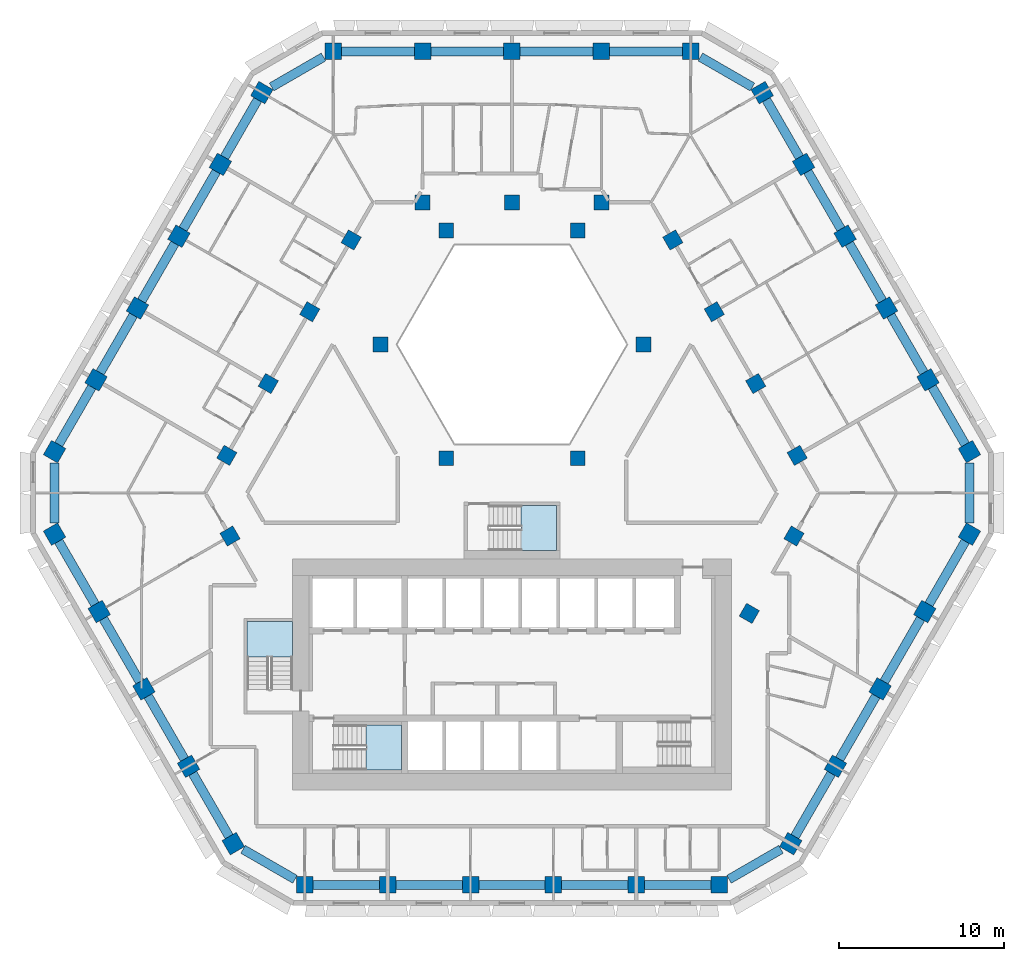
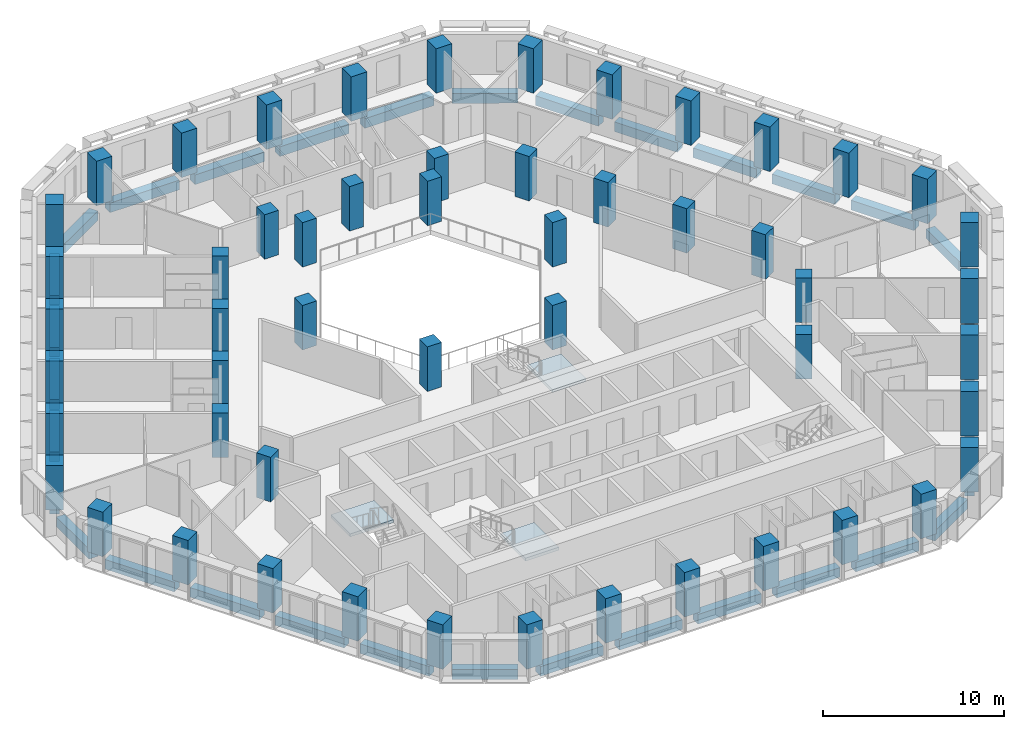
# One storey, part 1 of 15: 53 columns, 33 beams, 3 slabs, 3 elements without a shape of their own.
"""IFC4 building model written with IfcOpenShell, lengths in metres."""

from ifc_helpers import new_model, si_unit, direction, frame, origin, origin_2d, place, context, subcontext, project, spatial, polyline, rectangle, outline, extrude, material, layer, layer_set, material_profile, profile_set, type_object, element, aggregate, save


model = new_model("IFC4")

# Units and contexts
model_context = context("Model", 3, precision=1e-05, world=origin(), true_north=direction((0.0, 1.0)))
body_context = subcontext(model_context, "Body", "Model", "MODEL_VIEW")
ifc_project = project(units=[si_unit("LENGTHUNIT", "METRE"), si_unit("AREAUNIT", "SQUARE_METRE"), si_unit("VOLUMEUNIT", "CUBIC_METRE"), si_unit("PLANEANGLEUNIT", "RADIAN"), si_unit("MASSUNIT", "GRAM", prefix="KILO")], contexts=[model_context])

# Site, building, storey
site_placement = place(None, origin())
site = spatial("IfcSite", under=ifc_project, at=site_placement, CompositionType="ELEMENT")
building_placement = place(site_placement, origin())
building = spatial("IfcBuilding", under=site, at=building_placement, Name="Beryl Residences", CompositionType="ELEMENT")
storey_placement = place(building_placement, frame((0.0, 0.0, 72.0)))
storey = spatial("IfcBuildingStorey", under=building, at=storey_placement, Name="L21", CompositionType="ELEMENT", Elevation=72.0)

# Columns
ifc_material_1 = material(Name="Concrete C70/85", Category="concrete")
ifc_material_profile_1 = material_profile(ifc_material_1, rectangle(XDim=1.0, YDim=1.0, at=origin_2d()))
ifc_profile_set_1 = profile_set([ifc_material_profile_1], Name="Concrete C70/85")
column_type_1 = type_object("IfcColumnType", Name="C2 tube column 1000 x 1000 C70/85", PredefinedType="COLUMN", material=ifc_profile_set_1)
for number, where, z_axis, x_axis, name in (
    (1, (10.824951171875, 25.75, 0.0), (0.0, 0.0, 1.0), (-1.0, 0.0, 0.0), "C2-N1 L21"),
    (2, (5.412109375, 25.75, 0.0), (0.0, 0.0, 1.0), (-1.0, 0.0, 0.0), "C2-N2 L21"),
    (3, (-0.0009765625, 25.75, 0.0), (0.0, 0.0, 1.0), (-1.0, 0.0, 0.0), "C2-N3 L21"),
    (4, (-5.4140625, 25.75, 0.0), (0.0, 0.0, 1.0), (-1.0, 0.0, 0.0), "C2-N4 L21"),
    (5, (-10.826904296875, 25.75, 0.0), (0.0, 0.0, 1.0), (-1.0, 0.0, 0.0), "C2-N5 L21"),
    (6, (-15.155029296875, 23.2509765625, 0.0), (0.0, 0.0, 1.0), (-0.5, -0.866025403784, 0.0), "C2-NW1 L21"),
    (7, (-17.6669921875, 18.89990234375, 0.0), (0.0, 0.0, 1.0), (-0.5, -0.866025403784, 0.0), "C2-NW2 L21"),
    (8, (-20.177978515625, 14.550048828125, 0.0), (0.0, 0.0, 1.0), (-0.5, -0.866025403784, 0.0), "C2-NW3 L21"),
    (9, (-22.68994140625, 10.199951171875, 0.0), (0.0, 0.0, 1.0), (-0.5, -0.866025403784, 0.0), "C2-NW4 L21"),
    (10, (-25.201904296875, 5.85009765625, 0.0), (0.0, 0.0, 1.0), (-0.5, -0.866025403784, 0.0), "C2-NW5 L21"),
    (11, (-27.712890625, 1.5, 0.0), (0.0, 0.0, 1.0), (-0.5, -0.866025403784, 0.0), "C2-NW6 L21"),
    (12, (-27.714111328125, -3.4990234375, 0.0), (0.0, 0.0, 1.0), (0.5, -0.866025403784, 0.0), "C2-SW1 L21"),
    (13, (-25.007080078125, -8.18701171875, 0.0), (0.0, 0.0, 1.0), (0.5, -0.866025403784, 0.0), "C2-SW2 L21"),
    (14, (-22.300048828125, -12.875, 0.0), (0.0, 0.0, 1.0), (0.5, -0.866025403784, 0.0), "C2-SW3 L21"),
    (15, (-19.593994140625, -17.56298828125, 0.0), (0.0, 0.0, 1.0), (0.5, -0.866025403784, 0.0), "C2-SW4 L21"),
    (16, (-16.886962890625, -22.2509765625, 0.0), (0.0, 0.0, 1.0), (0.5, -0.866025403784, 0.0), "C2-SW5 L21"),
    (17, (-12.556884765625, -24.75, 0.0), (0.0, 0.0, 1.0), (1.0, 0.0, 0.0), "C2-S1 L21"),
    (18, (-7.533935546875, -24.75, 0.0), (0.0, 0.0, 1.0), (1.0, 0.0, 0.0), "C2-S2 L21"),
    (19, (-2.510986328125, -24.75, 0.0), (0.0, 0.0, 1.0), (1.0, 0.0, 0.0), "C2-S3 L21"),
    (20, (2.511962890625, -24.75, 0.0), (0.0, 0.0, 1.0), (1.0, 0.0, 0.0), "C2-S4 L21"),
    (21, (7.534912109375, -24.75, 0.0), (0.0, 0.0, 1.0), (1.0, 0.0, 0.0), "C2-S5 L21"),
    (22, (12.55810546875, -24.75, 0.0), (0.0, 0.0, 1.0), (1.0, 0.0, 0.0), "C2-S6 L21"),
    (23, (16.886962890625, -22.2509765625, 0.0), (0.0, 0.0, 1.0), (0.5, 0.866025403784, 0.0), "C2-SE1 L21"),
    (24, (19.593994140625, -17.56298828125, 0.0), (0.0, 0.0, 1.0), (0.5, 0.866025403784, 0.0), "C2-SE2 L21"),
    (25, (22.300048828125, -12.875, 0.0), (0.0, 0.0, 1.0), (0.5, 0.866025403784, 0.0), "C2-SE3 L21"),
    (26, (25.007080078125, -8.18701171875, 0.0), (0.0, 0.0, 1.0), (0.5, 0.866025403784, 0.0), "C2-SE4 L21"),
    (27, (27.714111328125, -3.4990234375, 0.0), (0.0, 0.0, 1.0), (0.5, 0.866025403784, 0.0), "C2-SE5 L21"),
    (28, (27.714111328125, 1.4990234375, 0.0), (0.0, 0.0, 1.0), (-0.5, 0.866025403784, 0.0), "C2-NE1 L21"),
    (29, (25.201904296875, 5.85009765625, 0.0), (0.0, 0.0, 1.0), (-0.5, 0.866025403784, 0.0), "C2-NE2 L21"),
    (30, (22.68994140625, 10.199951171875, 0.0), (0.0, 0.0, 1.0), (-0.5, 0.866025403784, 0.0), "C2-NE3 L21"),
    (31, (20.178955078125, 14.550048828125, 0.0), (0.0, 0.0, 1.0), (-0.5, 0.866025403784, 0.0), "C2-NE4 L21"),
    (32, (17.6669921875, 18.89990234375, 0.0), (0.0, 0.0, 1.0), (-0.5, 0.866025403784, 0.0), "C2-NE5 L21"),
    (33, (15.156005859375, 23.25, 0.0), (0.0, 0.0, 1.0), (-0.5, 0.866025403784, 0.0), "C2-NE6 L21"),
):
    element("IfcColumn", number, at=place(storey_placement, frame(where, z_axis=z_axis, x_axis=x_axis)), inside=storey, type_object=column_type_1, Name=name, PredefinedType="COLUMN", context=body_context, shape_type="SweptSolid", body=[
        extrude(rectangle(XDim=1.0, YDim=1.0, at=origin_2d()), origin(), (0.0, 0.0, 1.0), 3.0),
    ])
ifc_material_2 = material(Name="Concrete C70/85", Category="concrete")
ifc_material_profile_2 = material_profile(ifc_material_2, rectangle(XDim=0.89990234375, YDim=0.89990234375, at=origin_2d()))
ifc_profile_set_2 = profile_set([ifc_material_profile_2], Name="Concrete C70/85")
column_type_2 = type_object("IfcColumnType", Name="IC2 interior column 900 x 900 C70/85", PredefinedType="COLUMN", material=ifc_profile_set_2)
for number, where, z_axis, x_axis, name in (
    (34, (-17.0830078125, -3.612060546875, 0.0), (0.0, 0.0, 1.0), (0.5, -0.866025403784, 0.0), "IC2-M01 L21"),
    (35, (14.3759765625, -8.300048828125, 0.0), (0.0, 0.0, 1.0), (0.5, 0.866025403784, 0.0), "IC2-M02 L21"),
    (36, (17.0830078125, -3.612060546875, 0.0), (0.0, 0.0, 1.0), (0.5, 0.866025403784, 0.0), "IC2-M03 L21"),
    (37, (17.278076171875, 1.27392578125, 0.0), (0.0, 0.0, 1.0), (-0.5, 0.866025403784, 0.0), "IC2-M04 L21"),
    (38, (3.98388671875, 1.10009765625, 0.0), (0.0, 0.0, 1.0), (1.0, 0.0, 0.0), "IC2-A05 L21"),
    (39, (14.76611328125, 5.625, 0.0), (0.0, 0.0, 1.0), (-0.5, 0.866025403784, 0.0), "IC2-M06 L21"),
    (40, (12.2548828125, 9.97509765625, 0.0), (0.0, 0.0, 1.0), (-0.5, 0.866025403784, 0.0), "IC2-M07 L21"),
    (41, (7.967041015625, 8.0, 0.0), (0.0, 0.0, 1.0), (1.0, 0.0, 0.0), "IC2-A08 L21"),
    (42, (9.742919921875, 14.324951171875, 0.0), (0.0, 0.0, 1.0), (-0.5, 0.866025403784, 0.0), "IC2-M09 L21"),
    (43, (5.412109375, 16.60009765625, 0.0), (0.0, 0.0, 1.0), (-1.0, 0.0, 0.0), "IC2-M10 L21"),
    (44, (3.98388671875, 14.89990234375, 0.0), (0.0, 0.0, 1.0), (1.0, 0.0, 0.0), "IC2-A11 L21"),
    (45, (-0.0009765625, 16.60009765625, 0.0), (0.0, 0.0, 1.0), (-1.0, 0.0, 0.0), "IC2-M12 L21"),
    (46, (-3.98388671875, 14.89990234375, 0.0), (0.0, 0.0, 1.0), (1.0, 0.0, 0.0), "IC2-A13 L21"),
    (47, (-5.4140625, 16.60009765625, 0.0), (0.0, 0.0, 1.0), (-1.0, 0.0, 0.0), "IC2-M14 L21"),
    (48, (-9.742919921875, 14.324951171875, 0.0), (0.0, 0.0, 1.0), (-0.5, -0.866025403784, 0.0), "IC2-M15 L21"),
    (49, (-7.967041015625, 8.0, 0.0), (0.0, 0.0, 1.0), (1.0, 0.0, 0.0), "IC2-A16 L21"),
    (50, (-12.25390625, 9.97509765625, 0.0), (0.0, 0.0, 1.0), (-0.5, -0.866025403784, 0.0), "IC2-M17 L21"),
    (51, (-14.76611328125, 5.625, 0.0), (0.0, 0.0, 1.0), (-0.5, -0.866025403784, 0.0), "IC2-M18 L21"),
    (52, (-3.98388671875, 1.10009765625, 0.0), (0.0, 0.0, 1.0), (1.0, 0.0, 0.0), "IC2-A19 L21"),
    (53, (-17.277099609375, 1.27490234375, 0.0), (0.0, 0.0, 1.0), (-0.5, -0.866025403784, 0.0), "IC2-M20 L21"),
):
    element("IfcColumn", number, at=place(storey_placement, frame(where, z_axis=z_axis, x_axis=x_axis)), inside=storey, type_object=column_type_2, Name=name, PredefinedType="COLUMN", context=body_context, shape_type="SweptSolid", body=[
        extrude(rectangle(XDim=0.89990234375, YDim=0.89990234375, at=origin_2d()), origin(), (0.0, 0.0, 1.0), 3.0),
    ])

# Beams
ifc_material_3 = material(Name="Concrete C70/85", Category="concrete")
ifc_material_profile_3 = material_profile(ifc_material_3, rectangle(XDim=0.550048828125, YDim=0.64990234375, at=origin_2d()))
ifc_profile_set_3 = profile_set([ifc_material_profile_3], Name="Concrete C70/85")
beam_type = type_object("IfcBeamType", Name="SB2 spandrel beam 550 x 650 C70/85", PredefinedType="SPANDREL", material=ifc_profile_set_3)
beam_1_placement = place(storey_placement, frame((10.324951171875, 25.75, -0.625), z_axis=(-1.0, 0.0, 0.0), x_axis=(0.0, -1.0, 0.0)))
element("IfcBeam", 54, at=beam_1_placement, inside=storey, type_object=beam_type, Name="SB2 L21 N-0", PredefinedType="SPANDREL", context=body_context, shape_type="SweptSolid", body=[
    extrude(rectangle(XDim=0.550048828125, YDim=0.64990234375, at=origin_2d()), origin(), (0.0, 0.0, 1.0), 4.412841796875),
])
for number, where, z_axis, x_axis, name in (
    (55, (4.912109375, 25.75, -0.625), (-1.0, 0.0, 0.0), (0.0, -1.0, 0.0), "SB2 L21 N-1"),
    (56, (-0.5009765625, 25.75, -0.625), (-1.0, 0.0, 0.0), (0.0, -1.0, 0.0), "SB2 L21 N-2"),
):
    element("IfcBeam", number, at=place(storey_placement, frame(where, z_axis=z_axis, x_axis=x_axis)), inside=storey, type_object=beam_type, Name=name, PredefinedType="SPANDREL", context=body_context, shape_type="SweptSolid", body=[
        extrude(rectangle(XDim=0.550048828125, YDim=0.64990234375, at=origin_2d()), origin(), (0.0, 0.0, 1.0), 4.4130859375),
    ])
beam_2_placement = place(storey_placement, frame((-5.9140625, 25.75, -0.625), z_axis=(-1.0, 0.0, 0.0), x_axis=(0.0, -1.0, 0.0)))
element("IfcBeam", 57, at=beam_2_placement, inside=storey, type_object=beam_type, Name="SB2 L21 N-3", PredefinedType="SPANDREL", context=body_context, shape_type="SweptSolid", body=[
    extrude(rectangle(XDim=0.550048828125, YDim=0.64990234375, at=origin_2d()), origin(), (0.0, 0.0, 1.0), 4.412841796875),
])
beam_3_placement = place(storey_placement, frame((-11.41796875, 25.408935546875, -0.625), z_axis=(-0.865959503272, -0.500114125668, 0.0), x_axis=(0.500114125668, -0.865959503272, 0.0)))
element("IfcBeam", 58, at=beam_3_placement, inside=storey, type_object=beam_type, Name="SB2 L21 N-4", PredefinedType="SPANDREL", context=body_context, shape_type="SweptSolid", body=[
    extrude(rectangle(XDim=0.550048828125, YDim=0.64990234375, at=origin_2d()), origin(), (0.0, 0.0, 1.0), 3.633056640625),
])
beam_4_placement = place(storey_placement, frame((-15.405029296875, 22.818115234375, -0.625), z_axis=(-0.49996928203, -0.866043138087, 0.0), x_axis=(0.866043138087, -0.49996928203, 0.0)))
element("IfcBeam", 59, at=beam_4_placement, inside=storey, type_object=beam_type, Name="SB2 L21 NW-0", PredefinedType="SPANDREL", context=body_context, shape_type="SweptSolid", body=[
    extrude(rectangle(XDim=0.550048828125, YDim=0.64990234375, at=origin_2d()), origin(), (0.0, 0.0, 1.0), 4.024169921875),
])
beam_5_placement = place(storey_placement, frame((-17.9169921875, 18.467041015625, -0.625), z_axis=(-0.499892318183, -0.866087564985, 0.0), x_axis=(0.866087564985, -0.499892318183, 0.0)))
element("IfcBeam", 60, at=beam_5_placement, inside=storey, type_object=beam_type, Name="SB2 L21 NW-1", PredefinedType="SPANDREL", context=body_context, shape_type="SweptSolid", body=[
    extrude(rectangle(XDim=0.550048828125, YDim=0.64990234375, at=origin_2d()), origin(), (0.0, 0.0, 1.0), 4.02294921875),
])
beam_6_placement = place(storey_placement, frame((-20.427978515625, 14.116943359375, -0.625), z_axis=(-0.500100656611, -0.865967281863, 0.0), x_axis=(0.865967281863, -0.500100656611, 0.0)))
element("IfcBeam", 61, at=beam_6_placement, inside=storey, type_object=beam_type, Name="SB2 L21 NW-2", PredefinedType="SPANDREL", context=body_context, shape_type="SweptSolid", body=[
    extrude(rectangle(XDim=0.550048828125, YDim=0.64990234375, at=origin_2d()), origin(), (0.0, 0.0, 1.0), 4.023193359375),
])
beam_7_placement = place(storey_placement, frame((-22.93994140625, 9.76708984375, -0.625), z_axis=(-0.500074377092, -0.865982457891, 0.0), x_axis=(0.865982457891, -0.500074377092, 0.0)))
element("IfcBeam", 62, at=beam_7_placement, inside=storey, type_object=beam_type, Name="SB2 L21 NW-3", PredefinedType="SPANDREL", context=body_context, shape_type="SweptSolid", body=[
    extrude(rectangle(XDim=0.550048828125, YDim=0.64990234375, at=origin_2d()), origin(), (0.0, 0.0, 1.0), 4.0234375),
])
beam_8_placement = place(storey_placement, frame((-25.451904296875, 5.4169921875, -0.625), z_axis=(-0.499918594511, -0.866072398164, 0.0), x_axis=(0.866072398164, -0.499918594511, 0.0)))
element("IfcBeam", 63, at=beam_8_placement, inside=storey, type_object=beam_type, Name="SB2 L21 NW-4", PredefinedType="SPANDREL", context=body_context, shape_type="SweptSolid", body=[
    extrude(rectangle(XDim=0.550048828125, YDim=0.64990234375, at=origin_2d()), origin(), (0.0, 0.0, 1.0), 4.022705078125),
])
beam_9_placement = place(storey_placement, frame((-27.712890625, 0.81689453125, -0.625), z_axis=(-0.000336021486, -0.999999943545, 0.0), x_axis=(0.999999943545, -0.000336021486, 0.0)))
element("IfcBeam", 64, at=beam_9_placement, inside=storey, type_object=beam_type, Name="SB2 L21 NW-5", PredefinedType="SPANDREL", context=body_context, shape_type="SweptSolid", body=[
    extrude(rectangle(XDim=0.550048828125, YDim=0.64990234375, at=origin_2d()), origin(), (0.0, 0.0, 1.0), 3.6328125),
])
beam_10_placement = place(storey_placement, frame((-27.464111328125, -3.931884765625, -0.625), z_axis=(0.50006561292, -0.865987518834, 0.0), x_axis=(0.865987518834, 0.50006561292, 0.0)))
element("IfcBeam", 65, at=beam_10_placement, inside=storey, type_object=beam_type, Name="SB2 L21 SW-0", PredefinedType="SPANDREL", context=body_context, shape_type="SweptSolid", body=[
    extrude(rectangle(XDim=0.550048828125, YDim=0.64990234375, at=origin_2d()), origin(), (0.0, 0.0, 1.0), 4.41357421875),
])
beam_11_placement = place(storey_placement, frame((-24.757080078125, -8.6201171875, -0.625), z_axis=(0.500089568931, -0.865973684962, 0.0), x_axis=(0.865973684962, 0.500089568931, 0.0)))
element("IfcBeam", 66, at=beam_11_placement, inside=storey, type_object=beam_type, Name="SB2 L21 SW-1", PredefinedType="SPANDREL", context=body_context, shape_type="SweptSolid", body=[
    extrude(rectangle(XDim=0.550048828125, YDim=0.64990234375, at=origin_2d()), origin(), (0.0, 0.0, 1.0), 4.413330078125),
])
beam_12_placement = place(storey_placement, frame((-22.050048828125, -13.30810546875, -0.625), z_axis=(0.49992360228, -0.866069507536, 0.0), x_axis=(0.866069507536, 0.49992360228, 0.0)))
element("IfcBeam", 67, at=beam_12_placement, inside=storey, type_object=beam_type, Name="SB2 L21 SW-2", PredefinedType="SPANDREL", context=body_context, shape_type="SweptSolid", body=[
    extrude(rectangle(XDim=0.550048828125, YDim=0.64990234375, at=origin_2d()), origin(), (0.0, 0.0, 1.0), 4.412841796875),
])
beam_13_placement = place(storey_placement, frame((-19.343994140625, -17.99609375, -0.625), z_axis=(0.50006561292, -0.865987518834, 0.0), x_axis=(0.865987518834, 0.50006561292, 0.0)))
element("IfcBeam", 68, at=beam_13_placement, inside=storey, type_object=beam_type, Name="SB2 L21 SW-3", PredefinedType="SPANDREL", context=body_context, shape_type="SweptSolid", body=[
    extrude(rectangle(XDim=0.550048828125, YDim=0.64990234375, at=origin_2d()), origin(), (0.0, 0.0, 1.0), 4.41357421875),
])
beam_14_placement = place(storey_placement, frame((-16.2958984375, -22.592041015625, -0.625), z_axis=(0.866093873939, -0.499881387456, 0.0), x_axis=(0.499881387456, 0.866093873939, 0.0)))
element("IfcBeam", 69, at=beam_14_placement, inside=storey, type_object=beam_type, Name="SB2 L21 SW-4", PredefinedType="SPANDREL", context=body_context, shape_type="SweptSolid", body=[
    extrude(rectangle(XDim=0.550048828125, YDim=0.64990234375, at=origin_2d()), origin(), (0.0, 0.0, 1.0), 3.634765625),
])
for number, where, z_axis, x_axis, name in (
    (70, (-12.056884765625, -24.75, -0.625), (1.0, 0.0, 0.0), (0.0, 1.0, 0.0), "SB2 L21 S-0"),
    (71, (-7.033935546875, -24.75, -0.625), (1.0, 0.0, 0.0), (0.0, 1.0, 0.0), "SB2 L21 S-1"),
    (72, (-2.010986328125, -24.75, -0.625), (1.0, 0.0, 0.0), (0.0, 1.0, 0.0), "SB2 L21 S-2"),
    (73, (3.011962890625, -24.75, -0.625), (1.0, 0.0, 0.0), (0.0, 1.0, 0.0), "SB2 L21 S-3"),
):
    element("IfcBeam", number, at=place(storey_placement, frame(where, z_axis=z_axis, x_axis=x_axis)), inside=storey, type_object=beam_type, Name=name, PredefinedType="SPANDREL", context=body_context, shape_type="SweptSolid", body=[
        extrude(rectangle(XDim=0.550048828125, YDim=0.64990234375, at=origin_2d()), origin(), (0.0, 0.0, 1.0), 4.02294921875),
    ])
beam_15_placement = place(storey_placement, frame((8.034912109375, -24.75, -0.625), z_axis=(1.0, 0.0, 0.0), x_axis=(0.0, 1.0, 0.0)))
element("IfcBeam", 74, at=beam_15_placement, inside=storey, type_object=beam_type, Name="SB2 L21 S-4", PredefinedType="SPANDREL", context=body_context, shape_type="SweptSolid", body=[
    extrude(rectangle(XDim=0.550048828125, YDim=0.64990234375, at=origin_2d()), origin(), (0.0, 0.0, 1.0), 4.023193359375),
])
beam_16_placement = place(storey_placement, frame((13.14892578125, -24.408935546875, -0.625), z_axis=(0.866026712061, 0.499997733992, 0.0), x_axis=(-0.499997733992, 0.866026712061, 0.0)))
element("IfcBeam", 75, at=beam_16_placement, inside=storey, type_object=beam_type, Name="SB2 L21 S-5", PredefinedType="SPANDREL", context=body_context, shape_type="SweptSolid", body=[
    extrude(rectangle(XDim=0.550048828125, YDim=0.64990234375, at=origin_2d()), origin(), (0.0, 0.0, 1.0), 3.6337890625),
])
beam_17_placement = place(storey_placement, frame((17.136962890625, -21.818115234375, -0.625), z_axis=(0.50006561292, 0.865987518834, 0.0), x_axis=(-0.865987518834, 0.50006561292, 0.0)))
element("IfcBeam", 76, at=beam_17_placement, inside=storey, type_object=beam_type, Name="SB2 L21 SE-0", PredefinedType="SPANDREL", context=body_context, shape_type="SweptSolid", body=[
    extrude(rectangle(XDim=0.550048828125, YDim=0.64990234375, at=origin_2d()), origin(), (0.0, 0.0, 1.0), 4.41357421875),
])
beam_18_placement = place(storey_placement, frame((19.843994140625, -17.1298828125, -0.625), z_axis=(0.49992360228, 0.866069507536, 0.0), x_axis=(-0.866069507536, 0.49992360228, 0.0)))
element("IfcBeam", 77, at=beam_18_placement, inside=storey, type_object=beam_type, Name="SB2 L21 SE-1", PredefinedType="SPANDREL", context=body_context, shape_type="SweptSolid", body=[
    extrude(rectangle(XDim=0.550048828125, YDim=0.64990234375, at=origin_2d()), origin(), (0.0, 0.0, 1.0), 4.412841796875),
])
beam_19_placement = place(storey_placement, frame((22.550048828125, -12.44189453125, -0.625), z_axis=(0.500089568931, 0.865973684962, 0.0), x_axis=(-0.865973684962, 0.500089568931, 0.0)))
element("IfcBeam", 78, at=beam_19_placement, inside=storey, type_object=beam_type, Name="SB2 L21 SE-2", PredefinedType="SPANDREL", context=body_context, shape_type="SweptSolid", body=[
    extrude(rectangle(XDim=0.550048828125, YDim=0.64990234375, at=origin_2d()), origin(), (0.0, 0.0, 1.0), 4.413330078125),
])
beam_20_placement = place(storey_placement, frame((25.257080078125, -7.75390625, -0.625), z_axis=(0.50006561292, 0.865987518834, 0.0), x_axis=(-0.865987518834, 0.50006561292, 0.0)))
element("IfcBeam", 79, at=beam_20_placement, inside=storey, type_object=beam_type, Name="SB2 L21 SE-3", PredefinedType="SPANDREL", context=body_context, shape_type="SweptSolid", body=[
    extrude(rectangle(XDim=0.550048828125, YDim=0.64990234375, at=origin_2d()), origin(), (0.0, 0.0, 1.0), 4.41357421875),
])
beam_21_placement = place(storey_placement, frame((27.714111328125, -2.81591796875, -0.625), z_axis=(0.0, 1.0, 0.0), x_axis=(-1.0, 0.0, 0.0)))
element("IfcBeam", 80, at=beam_21_placement, inside=storey, type_object=beam_type, Name="SB2 L21 SE-4", PredefinedType="SPANDREL", context=body_context, shape_type="SweptSolid", body=[
    extrude(rectangle(XDim=0.550048828125, YDim=0.64990234375, at=origin_2d()), origin(), (0.0, 0.0, 1.0), 3.6318359375),
])
beam_22_placement = place(storey_placement, frame((27.464111328125, 1.931884765625, -0.625), z_axis=(-0.500014783214, 0.866016868524, 0.0), x_axis=(-0.866016868524, -0.500014783214, 0.0)))
element("IfcBeam", 81, at=beam_22_placement, inside=storey, type_object=beam_type, Name="SB2 L21 NE-0", PredefinedType="SPANDREL", context=body_context, shape_type="SweptSolid", body=[
    extrude(rectangle(XDim=0.550048828125, YDim=0.64990234375, at=origin_2d()), origin(), (0.0, 0.0, 1.0), 4.0244140625),
])
beam_23_placement = place(storey_placement, frame((24.951904296875, 6.282958984375, -0.625), z_axis=(-0.500074377092, 0.865982457891, 0.0), x_axis=(-0.865982457891, -0.500074377092, 0.0)))
element("IfcBeam", 82, at=beam_23_placement, inside=storey, type_object=beam_type, Name="SB2 L21 NE-1", PredefinedType="SPANDREL", context=body_context, shape_type="SweptSolid", body=[
    extrude(rectangle(XDim=0.550048828125, YDim=0.64990234375, at=origin_2d()), origin(), (0.0, 0.0, 1.0), 4.0234375),
])
beam_24_placement = place(storey_placement, frame((22.43994140625, 10.633056640625, -0.625), z_axis=(-0.499918594511, 0.866072398164, 0.0), x_axis=(-0.866072398164, -0.499918594511, 0.0)))
element("IfcBeam", 83, at=beam_24_placement, inside=storey, type_object=beam_type, Name="SB2 L21 NE-2", PredefinedType="SPANDREL", context=body_context, shape_type="SweptSolid", body=[
    extrude(rectangle(XDim=0.550048828125, YDim=0.64990234375, at=origin_2d()), origin(), (0.0, 0.0, 1.0), 4.022705078125),
])
beam_25_placement = place(storey_placement, frame((19.928955078125, 14.98291015625, -0.625), z_axis=(-0.500074377092, 0.865982457891, 0.0), x_axis=(-0.865982457891, -0.500074377092, 0.0)))
element("IfcBeam", 84, at=beam_25_placement, inside=storey, type_object=beam_type, Name="SB2 L21 NE-3", PredefinedType="SPANDREL", context=body_context, shape_type="SweptSolid", body=[
    extrude(rectangle(XDim=0.550048828125, YDim=0.64990234375, at=origin_2d()), origin(), (0.0, 0.0, 1.0), 4.0234375),
])
beam_26_placement = place(storey_placement, frame((17.4169921875, 19.3330078125, -0.625), z_axis=(-0.499918594511, 0.866072398164, 0.0), x_axis=(-0.866072398164, -0.499918594511, 0.0)))
element("IfcBeam", 85, at=beam_26_placement, inside=storey, type_object=beam_type, Name="SB2 L21 NE-4", PredefinedType="SPANDREL", context=body_context, shape_type="SweptSolid", body=[
    extrude(rectangle(XDim=0.550048828125, YDim=0.64990234375, at=origin_2d()), origin(), (0.0, 0.0, 1.0), 4.022705078125),
])
beam_27_placement = place(storey_placement, frame((14.56494140625, 23.591064453125, -0.625), z_axis=(-0.866044702259, 0.499966572571, 0.0), x_axis=(-0.499966572571, -0.866044702259, 0.0)))
element("IfcBeam", 86, at=beam_27_placement, inside=storey, type_object=beam_type, Name="SB2 L21 NE-5", PredefinedType="SPANDREL", context=body_context, shape_type="SweptSolid", body=[
    extrude(rectangle(XDim=0.550048828125, YDim=0.64990234375, at=origin_2d()), origin(), (0.0, 0.0, 1.0), 3.635986328125),
])

# Stair, slab
ifc_material_4 = material(Name="Concrete C40/50", Category="concrete")
stair_type = type_object("IfcStairType", Name="ST1 protected exit stair, half-turn, 1300 mm flights", PredefinedType="HALF_TURN_STAIR", material=ifc_material_4)
stair_1_placement = place(storey_placement, origin())
stair_1 = element("IfcStair", 87, at=stair_1_placement, inside=storey, type_object=stair_type, Name="L21 PROTECTED EXIT STAIR ST-1", PredefinedType="HALF_TURN_STAIR")
ifc_material_5 = material(Name="Concrete C40/50", Category="concrete")
ifc_layer = layer(ifc_material_5, 0.199951171875)
ifc_layer_set = layer_set([ifc_layer], Name="SLD1 stair landing 200 mm")
slab_type = type_object("IfcSlabType", Name="SLD1 stair landing 200 mm", PredefinedType="LANDING", material=ifc_layer_set)
slab_1_placement = place(storey_placement, frame((0.0, 0.0, 1.300048828125)))
slab_1 = element("IfcSlab", 88, at=slab_1_placement, type_object=slab_type, Name="ST-1 landing 1", PredefinedType="LANDING", context=body_context, shape_type="SweptSolid", body=[
    extrude(outline(polyline([(-8.840087890625, -17.800048828125), (-6.699951171875, -17.800048828125), (-6.699951171875, -15.050048828125), (-8.840087890625, -15.050048828125), (-8.840087890625, -17.800048828125)])), origin(), (0.0, 0.0, 1.0), 0.199951171875),
])
aggregate(stair_1, [slab_1])

stair_2_placement = place(storey_placement, origin())
stair_2 = element("IfcStair", 89, at=stair_2_placement, inside=storey, type_object=stair_type, Name="L21 PROTECTED EXIT STAIR ST-2", PredefinedType="HALF_TURN_STAIR")
slab_2_placement = place(storey_placement, frame((0.0, 0.0, 1.300048828125)))
slab_2 = element("IfcSlab", 90, at=slab_2_placement, type_object=slab_type, Name="ST-2 landing 1", PredefinedType="LANDING", context=body_context, shape_type="SweptSolid", body=[
    extrude(outline(polyline([(-13.300048828125, -10.93994140625), (-13.300048828125, -8.800048828125), (-16.050048828125, -8.800048828125), (-16.050048828125, -10.93994140625), (-13.300048828125, -10.93994140625)])), origin(), (0.0, 0.0, 1.0), 0.199951171875),
])
aggregate(stair_2, [slab_2])

stair_3_placement = place(storey_placement, origin())
stair_3 = element("IfcStair", 91, at=stair_3_placement, inside=storey, type_object=stair_type, Name="L21 PROTECTED EXIT STAIR ST-4", PredefinedType="HALF_TURN_STAIR")
slab_3_placement = place(storey_placement, frame((0.0, 0.0, 1.300048828125)))
slab_3 = element("IfcSlab", 92, at=slab_3_placement, type_object=slab_type, Name="ST-4 landing 1", PredefinedType="LANDING", context=body_context, shape_type="SweptSolid", body=[
    extrude(outline(polyline([(0.56005859375, -4.5), (2.699951171875, -4.5), (2.699951171875, -1.75), (0.56005859375, -1.75), (0.56005859375, -4.5)])), origin(), (0.0, 0.0, 1.0), 0.199951171875),
])
aggregate(stair_3, [slab_3])

save(model, "model.ifc")
